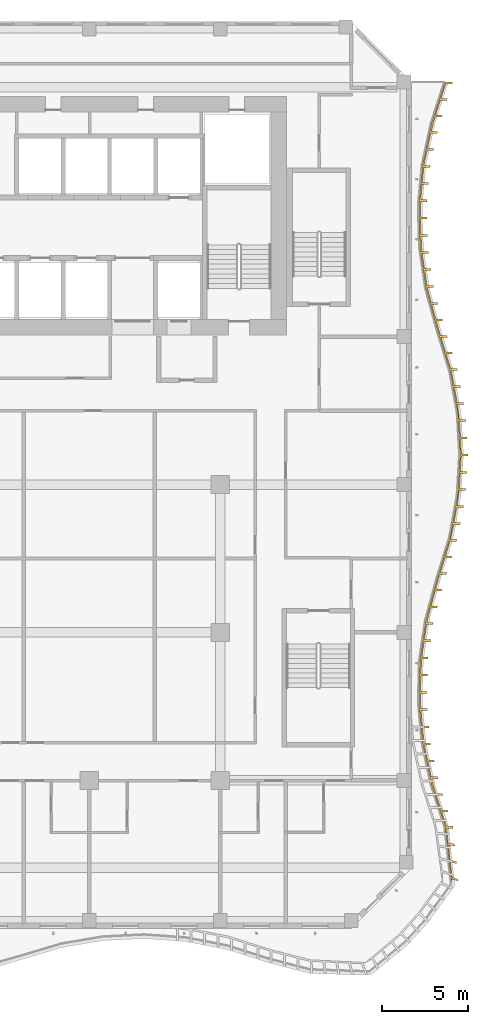
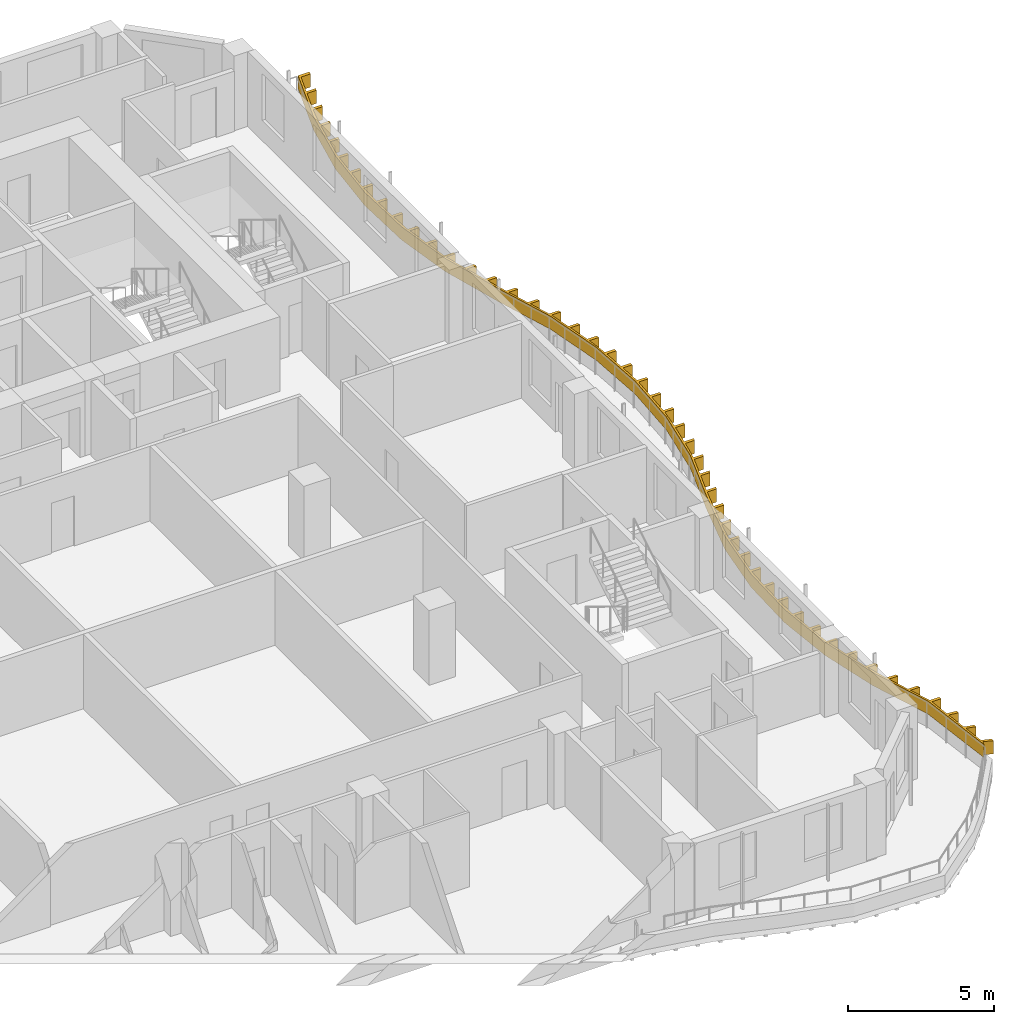
# One storey, part 20 of 23: 1 shading device.
"""IFC4 building model written with IfcOpenShell, lengths in metres."""

from ifc_helpers import new_model, si_unit, direction, frame, origin, place, context, subcontext, project, spatial, polyline, outline, extrude, source, transform, mapped, material, layer, layer_set, type_object, element, save


model = new_model("IFC4")

# Units and contexts
model_context = context("Model", 3, precision=1e-05, world=origin(), true_north=direction((0.0, 1.0)))
body_context = subcontext(model_context, "Body", "Model", "MODEL_VIEW")
ifc_project = project(units=[si_unit("LENGTHUNIT", "METRE"), si_unit("AREAUNIT", "SQUARE_METRE"), si_unit("VOLUMEUNIT", "CUBIC_METRE"), si_unit("PLANEANGLEUNIT", "RADIAN"), si_unit("MASSUNIT", "GRAM", prefix="KILO")], contexts=[model_context])

# Site, building, storey
site_placement = place(None, origin())
site = spatial("IfcSite", under=ifc_project, at=site_placement, CompositionType="ELEMENT")
building_placement = place(site_placement, origin())
building = spatial("IfcBuilding", under=site, at=building_placement, Name="Kilnfold Tower and Market Hall", CompositionType="ELEMENT")
storey_placement = place(building_placement, frame((0.0, 0.0, 178.699951171875)))
storey = spatial("IfcBuildingStorey", under=building, at=storey_placement, Name="L42", CompositionType="ELEMENT", Elevation=178.699951171875)

# Shading device
ifc_material = material(Name="Bronze anodised aluminium", Category="aluminium")
ifc_layer = layer(ifc_material, 0.550048828125)
ifc_layer_set = layer_set([ifc_layer], Name="Bronze anodised aluminium")
shading_device_type = type_object("IfcShadingDeviceType", Name="BRONZE SLAT FASCIA 550", PredefinedType="USERDEFINED", material=ifc_layer_set)
shared_shape = source(origin(), body_context, "Body", "SweptSolid", [
    extrude(outline(polyline([(27.943603515625, -23.53173828125), (27.597900390625, -23.40380859375), (27.544189453125, -23.552734375), (27.18359375, -20.355224609375), (26.404052734375, -17.96044921875), (25.884765625, -15.56591796875), (25.661376953125, -13.171142578125), (25.723388671875, -10.7763671875), (26.07421875, -8.381591796875), (26.7294921875, -5.98681640625), (27.469970703125, -3.592041015625), (27.90576171875, -1.197509765625), (28.050048828125, 1.197509765625), (27.908935546875, 3.592041015625), (27.476318359375, 5.98681640625), (26.73828125, 8.381591796875), (26.07958984375, 10.7763671875), (25.7255859375, 13.171142578125), (25.660400390625, 15.56591796875), (25.880859375, 17.96044921875), (26.396728515625, 20.355224609375), (27.175537109375, 22.75), (27.62548828125, 22.75), (27.585205078125, 22.62548828125), (27.215087890625, 22.62548828125), (26.943115234375, 21.788818359375), (27.31298828125, 21.788818359375), (27.27587890625, 21.674560546875), (26.90576171875, 21.674560546875), (26.6337890625, 20.837646484375), (27.003662109375, 20.837646484375), (26.966552734375, 20.7236328125), (26.5966796875, 20.7236328125), (26.373046875, 19.87353515625), (26.742919921875, 19.87353515625), (26.7177734375, 19.75634765625), (26.347900390625, 19.75634765625), (26.162353515625, 18.89599609375), (26.532470703125, 18.89599609375), (26.507080078125, 18.77880859375), (26.13720703125, 18.77880859375), (25.95703125, 17.917724609375), (26.326904296875, 17.917724609375), (26.31591796875, 17.798095703125), (25.946044921875, 17.798095703125), (25.865234375, 16.921875), (26.2353515625, 16.921875), (26.224365234375, 16.802490234375), (25.854248046875, 16.802490234375), (25.773681640625, 15.926025390625), (26.1435546875, 15.926025390625), (26.132568359375, 15.806640625), (25.7626953125, 15.806640625), (25.7578125, 14.927978515625), (26.127685546875, 14.927978515625), (26.131103515625, 14.807861328125), (25.760986328125, 14.807861328125), (25.78515625, 13.92822265625), (26.155029296875, 13.92822265625), (26.158203125, 13.808349609375), (25.788330078125, 13.808349609375), (25.84130859375, 12.93115234375), (26.211181640625, 12.93115234375), (26.228759765625, 12.8125), (25.858642578125, 12.8125), (25.9873046875, 11.94189453125), (26.357421875, 11.94189453125), (26.375, 11.8232421875), (26.0048828125, 11.8232421875), (26.133544921875, 10.95263671875), (26.50341796875, 10.95263671875), (26.52099609375, 10.833984375), (26.151123046875, 10.833984375), (26.37744140625, 9.98388671875), (26.74755859375, 9.98388671875), (26.779296875, 9.868408203125), (26.4091796875, 9.868408203125), (26.642578125, 9.019775390625), (27.0126953125, 9.019775390625), (27.04443359375, 8.904052734375), (26.674560546875, 8.904052734375), (26.917724609375, 8.05859375), (27.287841796875, 8.05859375), (27.322998046875, 7.94384765625), (26.953125, 7.94384765625), (27.21240234375, 7.102783203125), (27.582275390625, 7.102783203125), (27.61767578125, 6.988037109375), (27.247802734375, 6.988037109375), (27.5068359375, 6.147216796875), (27.876953125, 6.147216796875), (27.912109375, 6.032470703125), (27.542236328125, 6.032470703125), (27.7041015625, 5.16796875), (28.07421875, 5.16796875), (28.095703125, 5.0498046875), (27.7255859375, 5.0498046875), (27.882080078125, 4.183837890625), (28.251953125, 4.183837890625), (28.273193359375, 4.065673828125), (27.9033203125, 4.065673828125), (28.012451171875, 3.194091796875), (28.38232421875, 3.194091796875), (28.389404296875, 3.07421875), (28.019287109375, 3.07421875), (28.0712890625, 2.19580078125), (28.441162109375, 2.19580078125), (28.4482421875, 2.075927734375), (28.078125, 2.075927734375), (28.1298828125, 1.197509765625), (28.5, 1.197509765625), (28.492919921875, 1.077880859375), (28.122802734375, 1.077880859375), (28.06982421875, 0.19921875), (28.43994140625, 0.19921875), (28.4326171875, 0.07958984375), (28.062744140625, 0.07958984375), (28.009765625, -0.798828125), (28.3798828125, -0.798828125), (28.37255859375, -0.918701171875), (28.002685546875, -0.918701171875), (27.878173828125, -1.788330078125), (28.248291015625, -1.788330078125), (28.226806640625, -1.906494140625), (27.856689453125, -1.906494140625), (27.69921875, -2.772216796875), (28.069091796875, -2.772216796875), (28.047607421875, -2.890380859375), (27.677734375, -2.890380859375), (27.500732421875, -3.75146484375), (27.87060546875, -3.75146484375), (27.835205078125, -3.865966796875), (27.46533203125, -3.865966796875), (27.205322265625, -4.706787109375), (27.5751953125, -4.706787109375), (27.539794921875, -4.8212890625), (27.169921875, -4.8212890625), (26.909912109375, -5.662109375), (27.27978515625, -5.662109375), (27.244384765625, -5.776611328125), (26.87451171875, -5.776611328125), (26.63525390625, -6.62353515625), (27.005126953125, -6.62353515625), (26.9736328125, -6.7392578125), (26.603515625, -6.7392578125), (26.371337890625, -7.588134765625), (26.741455078125, -7.588134765625), (26.709716796875, -7.703857421875), (26.339599609375, -7.703857421875), (26.128662109375, -8.556884765625), (26.49853515625, -8.556884765625), (26.481201171875, -8.67578125), (26.111083984375, -8.67578125), (25.983642578125, -9.54638671875), (26.353759765625, -9.54638671875), (26.336181640625, -9.665283203125), (25.96630859375, -9.665283203125), (25.838623046875, -10.535888671875), (26.208740234375, -10.535888671875), (26.19140625, -10.654541015625), (25.8212890625, -10.654541015625), (25.78369140625, -11.533203125), (26.15380859375, -11.533203125), (26.150634765625, -11.653076171875), (25.78076171875, -11.653076171875), (25.7578125, -12.53271484375), (26.1279296875, -12.53271484375), (26.124755859375, -12.652587890625), (25.7548828125, -12.652587890625), (25.77490234375, -13.531005859375), (26.14501953125, -13.531005859375), (26.156005859375, -13.650390625), (25.785888671875, -13.650390625), (25.867919921875, -14.526611328125), (26.23779296875, -14.526611328125), (26.2490234375, -14.64599609375), (25.87890625, -14.64599609375), (25.960693359375, -15.522216796875), (26.330810546875, -15.522216796875), (26.35107421875, -15.640380859375), (25.98095703125, -15.640380859375), (26.16748046875, -16.50048828125), (26.53759765625, -16.50048828125), (26.56298828125, -16.61767578125), (26.19287109375, -16.61767578125), (26.37939453125, -17.477783203125), (26.74951171875, -17.477783203125), (26.77490234375, -17.594970703125), (26.40478515625, -17.594970703125), (26.640625, -18.441650390625), (27.0107421875, -18.441650390625), (27.0478515625, -18.5556640625), (26.677734375, -18.5556640625), (26.9501953125, -19.392578125), (27.3203125, -19.392578125), (27.357421875, -19.506591796875), (26.9873046875, -19.506591796875), (27.259521484375, -20.343505859375), (27.629638671875, -20.343505859375), (27.633544921875, -20.355224609375), (27.644287109375, -20.465087890625), (27.27490234375, -20.460693359375), (27.3681640625, -21.323974609375), (27.73193359375, -21.36474609375), (27.743896484375, -21.4873046875), (27.381103515625, -21.441650390625), (27.475830078125, -22.3046875), (27.831787109375, -22.386962890625), (27.84375, -22.509521484375), (27.48876953125, -22.422607421875), (27.5849609375, -23.2861328125), (27.931396484375, -23.4091796875), (27.943603515625, -23.53173828125)])), origin(), (0.0, 0.0, 1.0), 0.550048828125),
])
shading_device_placement = place(storey_placement, frame((0.0, 0.0, 0.550048828125)))
element("IfcShadingDevice", 1, at=shading_device_placement, inside=storey, type_object=shading_device_type, Name="Balcony slat fascia L42", ObjectType="SLAT", PredefinedType="USERDEFINED", context=body_context, shape_type="MappedRepresentation", body=[
    mapped(shared_shape, transform((0.0, 0.0, 0.0))),
])

save(model, "model.ifc")
